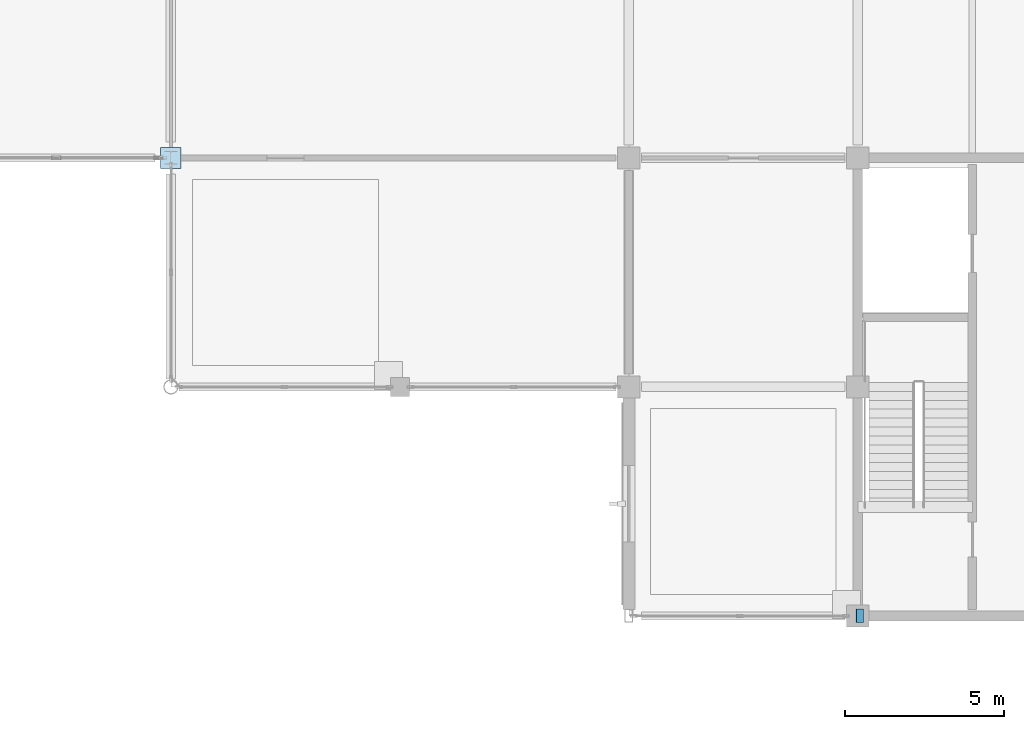
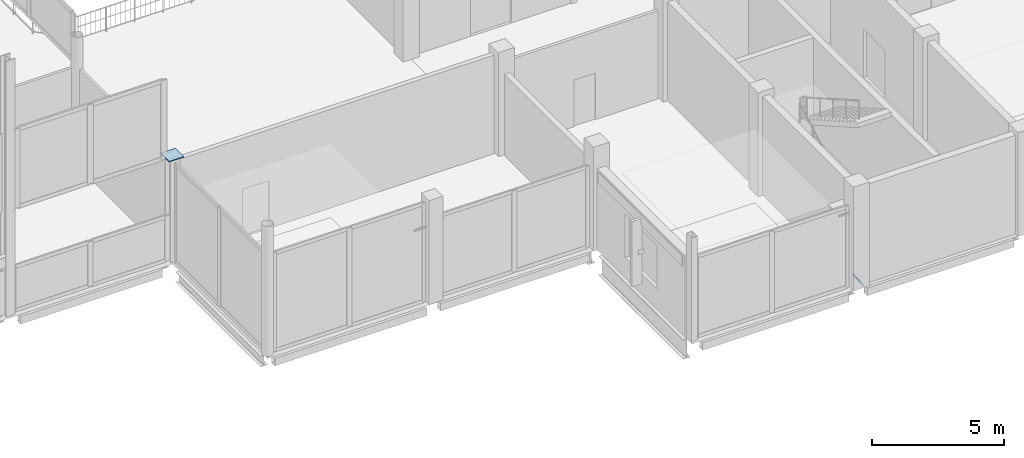
# One storey, part 87 of 120: 2 plates.
"""IFC4 building model written with IfcOpenShell, lengths in metres."""

from ifc_helpers import new_model, si_unit, direction, frame, origin, origin_2d, place, context, subcontext, project, spatial, rectangle, extrude, material, layer, layer_set, type_object, element, save


model = new_model("IFC4")

# Units and contexts
model_context = context("Model", 3, precision=1e-05, world=origin(), true_north=direction((0.0, 1.0)))
body_context = subcontext(model_context, "Body", "Model", "MODEL_VIEW")
ifc_project = project(units=[si_unit("LENGTHUNIT", "METRE"), si_unit("AREAUNIT", "SQUARE_METRE"), si_unit("VOLUMEUNIT", "CUBIC_METRE"), si_unit("PLANEANGLEUNIT", "RADIAN"), si_unit("MASSUNIT", "GRAM", prefix="KILO")], contexts=[model_context])

# Site, building, storey
site_placement = place(None, origin())
site = spatial("IfcSite", under=ifc_project, at=site_placement, CompositionType="ELEMENT")
building_placement = place(site_placement, origin())
building = spatial("IfcBuilding", under=site, at=building_placement, Name="Vesperath Aquatics Centre", CompositionType="ELEMENT")
storey_placement = place(building_placement, frame((0.0, 0.0, 10.199951171875)))
storey = spatial("IfcBuildingStorey", under=building, at=storey_placement, Name="L02", CompositionType="ELEMENT", Elevation=10.199951171875)

# Plates
ifc_material = material(Name="Steel Q355D", Category="steel")
ifc_layer_1 = layer(ifc_material, 0.031982421875)
ifc_layer_set_1 = layer_set([ifc_layer_1], Name="Steel Q355D")
plate_type_1 = type_object("IfcPlateType", Name="PT-BP01", PredefinedType="SHEET", material=ifc_layer_set_1)
plate_1_placement = place(storey_placement, frame((100.800048828125, 14.39990234375, 4.76416015625), z_axis=(0.0, 0.0, 1.0), x_axis=(1.0, 0.0, 0.0)))
element("IfcPlate", 1, at=plate_1_placement, inside=storey, type_object=plate_type_1, Name="Truss Bearing Base Plate NP01 G15/C", PredefinedType="SHEET", context=body_context, shape_type="SweptSolid", body=[
    extrude(rectangle(XDim=0.64990234375, YDim=0.64990234375, at=origin_2d()), origin(), (0.0, 0.0, 1.0), 0.031982421875),
])
ifc_layer_2 = layer(ifc_material, 0.02392578125)
ifc_layer_set_2 = layer_set([ifc_layer_2], Name="Steel Q355D")
plate_type_2 = type_object("IfcPlateType", Name="PT-TN04", PredefinedType="SHEET", material=ifc_layer_set_2)
plate_2_placement = place(storey_placement, frame((122.448486328125, 0.0, 0.17822265625), z_axis=(0.863778900717, 0.0, 0.503871025835), x_axis=(0.0, 1.0, 0.0)))
element("IfcPlate", 2, at=plate_2_placement, inside=storey, type_object=plate_type_2, Name="Truss Node Cap Plate TN04", PredefinedType="SHEET", context=body_context, shape_type="SweptSolid", body=[
    extrude(rectangle(XDim=0.419921875, YDim=0.419921875, at=origin_2d()), origin(), (0.0, 0.0, 1.0), 0.02392578125),
])

save(model, "model.ifc")
